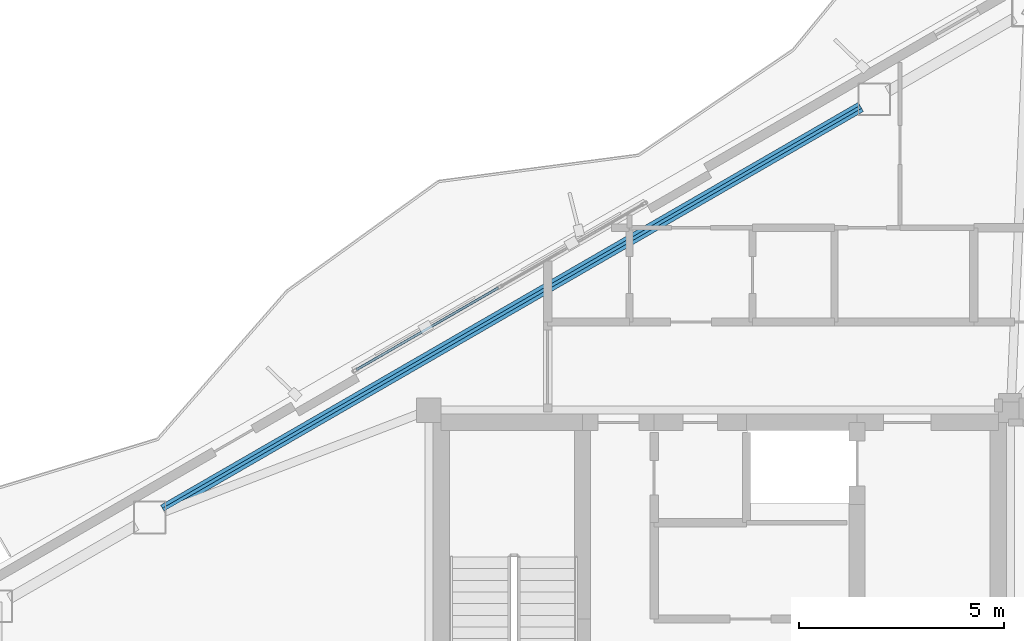
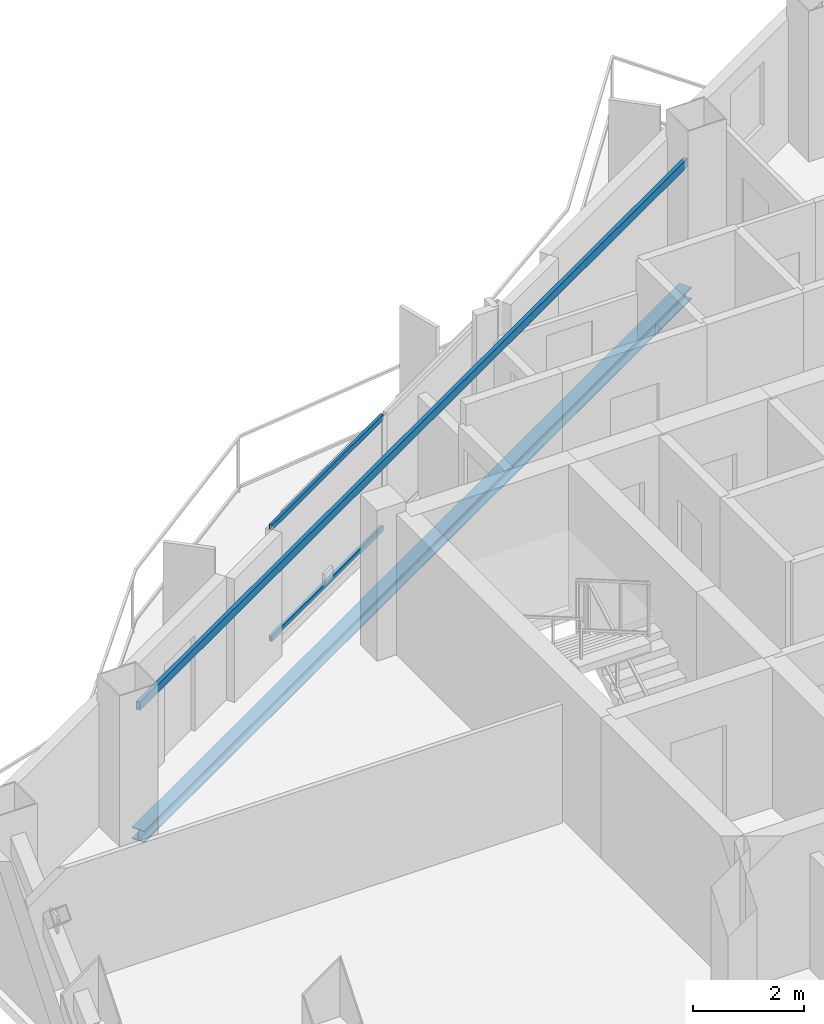
# One storey, part 9 of 18: 2 beams, 2 members, 1 element without a shape of its own.
"""IFC4 building model written with IfcOpenShell, lengths in metres."""

from ifc_helpers import new_model, si_unit, direction, frame, origin, origin_2d, place, context, subcontext, project, spatial, hollow_rectangle, i_section, extrude, material, layer, layer_set, material_profile, profile_set, type_object, element, aggregate, save


model = new_model("IFC4")

# Units and contexts
model_context = context("Model", 3, precision=1e-05, world=origin(), true_north=direction((0.0, 1.0)))
body_context = subcontext(model_context, "Body", "Model", "MODEL_VIEW")
ifc_project = project(units=[si_unit("LENGTHUNIT", "METRE"), si_unit("AREAUNIT", "SQUARE_METRE"), si_unit("VOLUMEUNIT", "CUBIC_METRE"), si_unit("PLANEANGLEUNIT", "RADIAN"), si_unit("MASSUNIT", "GRAM", prefix="KILO")], contexts=[model_context])

# Site, building, storey
site_placement = place(None, origin())
site = spatial("IfcSite", under=ifc_project, at=site_placement, CompositionType="ELEMENT")
building_placement = place(site_placement, origin())
building = spatial("IfcBuilding", under=site, at=building_placement, Name="Mersakhor Tower and Convention Hall", CompositionType="ELEMENT")
storey_placement = place(building_placement, frame((0.0, 0.0, 243.0)))
storey = spatial("IfcBuildingStorey", under=building, at=storey_placement, Name="L68", CompositionType="ELEMENT", Elevation=243.0)

# Beams
ifc_material_1 = material(Name="Steel S355", Category="steel")
ifc_material_profile_1 = material_profile(ifc_material_1, hollow_rectangle(XDim=0.080078125, YDim=0.179931640625, WallThickness=0.008056640625, at=origin_2d()), Name="RHS 180x80x8")
ifc_profile_set_1 = profile_set([ifc_material_profile_1], Name="Steel S355")
beam_type_1 = type_object("IfcBeamType", Name="BM-GRT-RHS180", PredefinedType="USERDEFINED", material=ifc_profile_set_1)
beam_1_placement = place(storey_placement, frame((15.414794921875, 30.618408203125, 2.47998046875), z_axis=(0.866021610626, 0.500006569886, 0.0), x_axis=(-0.500006569886, 0.866021610626, 0.0)))
element("IfcBeam", 1, at=beam_1_placement, inside=storey, type_object=beam_type_1, Name="L68 Facade Support Girt GRT-F1", ObjectType="GIRT", PredefinedType="USERDEFINED", context=body_context, shape_type="SweptSolid", body=[
    extrude(hollow_rectangle(XDim=0.080078125, YDim=0.179931640625, WallThickness=0.008056640625, at=origin_2d()), origin(), (0.0, 0.0, 1.0), 19.661865234375),
])
ifc_material_2 = material(Name="Steel S355", Category="steel")
ifc_material_profile_2 = material_profile(ifc_material_2, i_section(OverallWidth=0.25634765625, OverallDepth=0.26025390625, WebThickness=0.01025390625, FlangeThickness=0.017333984375, at=origin_2d()), Name="UC 254x254x89")
ifc_profile_set_2 = profile_set([ifc_material_profile_2], Name="Steel S355")
beam_type_2 = type_object("IfcBeamType", Name="BM-SPD-UC254", PredefinedType="SPANDREL", material=ifc_profile_set_2)
beam_2_placement = place(storey_placement, frame((15.414794921875, 30.618408203125, -0.35009765625), z_axis=(0.866021610626, 0.500006569886, 0.0), x_axis=(-0.500006569886, 0.866021610626, 0.0)))
element("IfcBeam", 2, at=beam_2_placement, inside=storey, type_object=beam_type_2, Name="L68 Perimeter Spandrel Beam SPB-02", PredefinedType="SPANDREL", context=body_context, shape_type="SweptSolid", body=[
    extrude(i_section(OverallWidth=0.25634765625, OverallDepth=0.26025390625, WebThickness=0.01025390625, FlangeThickness=0.017333984375, at=origin_2d()), origin(), (0.0, 0.0, 1.0), 19.661865234375),
])

# Curtain wall, members
ifc_material_3 = material(Name="Dark solar low-E aluminium curtain wall", Category="aluminium")
ifc_layer = layer(ifc_material_3, 0.179931640625)
ifc_layer_set = layer_set([ifc_layer], Name="Dark solar low-E aluminium curtain wall")
curtain_wall_type = type_object("IfcCurtainWallType", Name="CW-SYS-03", PredefinedType="USERDEFINED", material=ifc_layer_set)
curtain_wall_placement = place(storey_placement, origin())
curtain_wall = element("IfcCurtainWall", 3, at=curtain_wall_placement, inside=storey, type_object=curtain_wall_type, Name="L68 Dark-Glass Curtain Wall F1-B2", ObjectType="CURTAIN WALL", PredefinedType="USERDEFINED")
ifc_material_4 = material(Name="Anodised aluminium EN AW-6063 T6", Category="aluminium")
ifc_material_profile_3 = material_profile(ifc_material_4, hollow_rectangle(XDim=0.06005859375, YDim=0.1201171875, WallThickness=0.0048828125, at=origin_2d()), Name="RHS 120x60x5")
ifc_profile_set_3 = profile_set([ifc_material_profile_3], Name="Anodised aluminium EN AW-6063 T6")
member_type = type_object("IfcMemberType", Name="CWT-120x60", PredefinedType="USERDEFINED", material=ifc_profile_set_3)
member_1_placement = place(storey_placement, frame((20.130859375, 34.0341796875, 0.22998046875), z_axis=(0.866023018642, 0.500004131166, 0.0), x_axis=(-0.500004131166, 0.866023018642, 0.0)))
member_1 = element("IfcMember", 4, at=member_1_placement, type_object=member_type, Name="CW-03 transom 1.1", ObjectType="TRANSOM", PredefinedType="USERDEFINED", context=body_context, shape_type="SweptSolid", body=[
    extrude(hollow_rectangle(XDim=0.06005859375, YDim=0.1201171875, WallThickness=0.0048828125, at=origin_2d()), origin(), (0.0, 0.0, 1.0), 4.00146484375),
])
member_2_placement = place(storey_placement, frame((20.130859375, 34.0341796875, 2.669921875), z_axis=(0.866023018642, 0.500004131166, 0.0), x_axis=(-0.500004131166, 0.866023018642, 0.0)))
member_2 = element("IfcMember", 5, at=member_2_placement, type_object=member_type, Name="CW-03 transom 1.2", ObjectType="TRANSOM", PredefinedType="USERDEFINED", context=body_context, shape_type="SweptSolid", body=[
    extrude(hollow_rectangle(XDim=0.06005859375, YDim=0.1201171875, WallThickness=0.0048828125, at=origin_2d()), origin(), (0.0, 0.0, 1.0), 4.00146484375),
])
aggregate(curtain_wall, [member_1, member_2])

save(model, "model.ifc")
